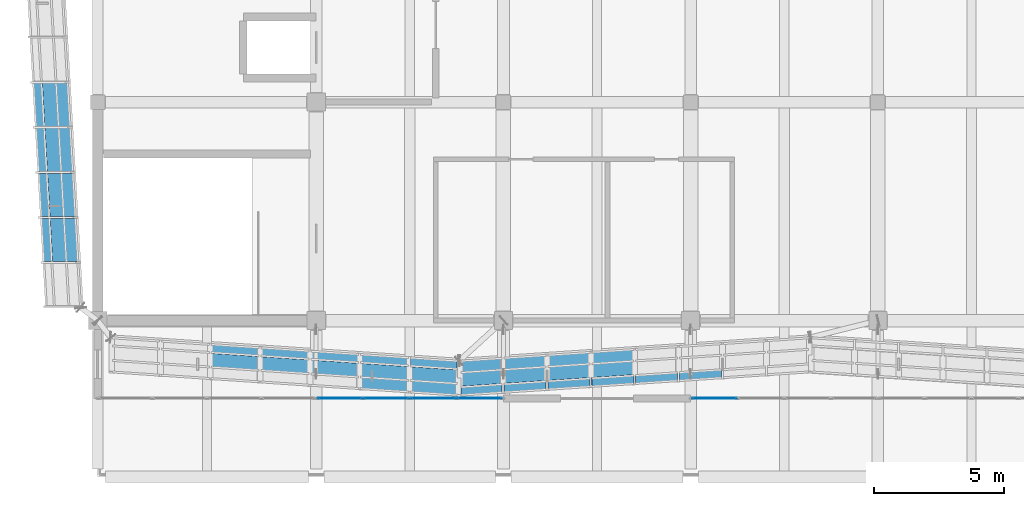
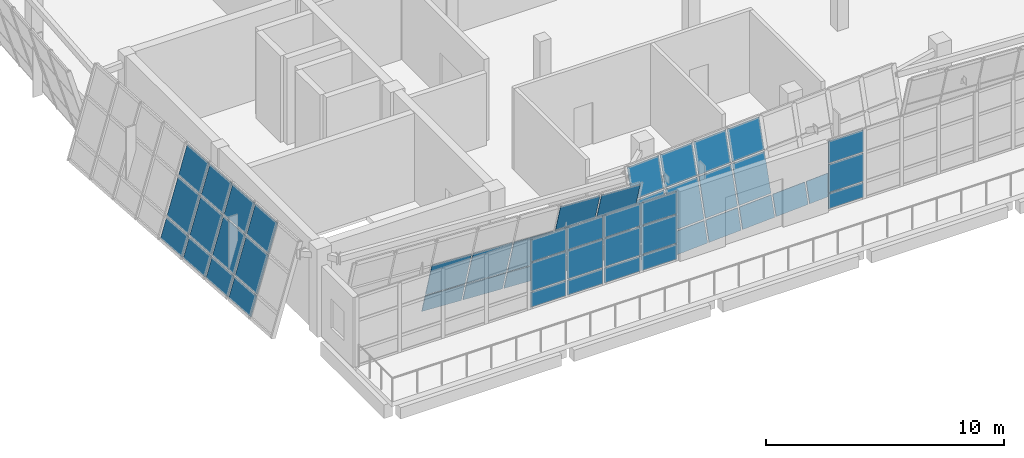
# One storey, part 34 of 67: 53 plates, 5 elements without a shape of their own.
"""IFC4 building model written with IfcOpenShell, lengths in metres."""

from ifc_helpers import new_model, si_unit, direction, frame, origin, place, context, subcontext, project, spatial, polyline, outline, extrude, material, layer, layer_set, type_object, element, aggregate, save


model = new_model("IFC4")

# Units and contexts
model_context = context("Model", 3, precision=1e-05, world=origin(), true_north=direction((0.0, 1.0)))
body_context = subcontext(model_context, "Body", "Model", "MODEL_VIEW")
ifc_project = project(units=[si_unit("LENGTHUNIT", "METRE"), si_unit("AREAUNIT", "SQUARE_METRE"), si_unit("VOLUMEUNIT", "CUBIC_METRE"), si_unit("PLANEANGLEUNIT", "RADIAN"), si_unit("MASSUNIT", "GRAM", prefix="KILO")], contexts=[model_context])

# Site, building, storey
site_placement = place(None, origin())
site = spatial("IfcSite", under=ifc_project, at=site_placement, CompositionType="ELEMENT")
building_placement = place(site_placement, origin())
building = spatial("IfcBuilding", under=site, at=building_placement, Name="Pellamere Symphony Hall", CompositionType="ELEMENT")
storey_placement = place(building_placement, frame((0.0, 0.0, 19.5)))
storey = spatial("IfcBuildingStorey", under=building, at=storey_placement, Name="L04", CompositionType="ELEMENT", Elevation=19.5)

# Curtain wall, plates
ifc_material_1 = material(Name="Thermally Broken Anodised Aluminium 6063-T6 Curtain Wall", Category="aluminium")
curtain_wall_type_1 = type_object("IfcCurtainWallType", Name="Curtain Wall CW-06 (Belvedere Terrace Clerestory Curtain Wall)", PredefinedType="NOTDEFINED", material=ifc_material_1)
curtain_wall_1_placement = place(storey_placement, origin())
curtain_wall_1 = element("IfcCurtainWall", 1, at=curtain_wall_1_placement, inside=storey, type_object=curtain_wall_type_1, Name="Winter-Garden South Curtain Wall (L04 Bay 2)", PredefinedType="NOTDEFINED")
ifc_material_2 = material(Name="Triple Low-E Argon Acoustic Glazing 36mm", Category="glass")
ifc_layer_1 = layer(ifc_material_2, 0.035888671875, Name="Triple Low-E Argon Acoustic Glazing 36mm")
ifc_layer_set_1 = layer_set([ifc_layer_1], Name="Triple Low-E Argon Acoustic Glazing 36mm")
plate_type_1 = type_object("IfcPlateType", Name="Facade Panel GL-01 36mm", PredefinedType="CURTAIN_PANEL", material=ifc_layer_set_1)
plate_1_placement = place(storey_placement, frame((58.864990234375, 27.0, 0.06494140625), z_axis=(0.0, -1.0, 0.0), x_axis=(1.0, 0.0, 0.0)))
plate_1 = element("IfcPlate", 2, at=plate_1_placement, type_object=plate_type_1, Name="CW2-096 crystal glass panel 1.1", PredefinedType="CURTAIN_PANEL", context=body_context, shape_type="SweptSolid", body=[
    extrude(outline(polyline([(0.0, 0.0), (1.702392578125, 0.0), (1.702392578125, 0.76123046875), (0.0, 0.76123046875), (0.0, 0.0)])), origin(), (0.0, 0.0, -1.0), 0.035888671875),
])
plate_2_placement = place(storey_placement, frame((58.864990234375, 27.0, 0.89111328125), z_axis=(0.0, -1.0, 0.0), x_axis=(1.0, 0.0, 0.0)))
plate_2 = element("IfcPlate", 3, at=plate_2_placement, type_object=plate_type_1, Name="CW2-096 crystal glass panel 1.2", PredefinedType="CURTAIN_PANEL", context=body_context, shape_type="SweptSolid", body=[
    extrude(outline(polyline([(0.0, 0.0), (1.702392578125, 0.0), (1.702392578125, 1.4375), (0.0, 1.4375), (0.0, 0.0)])), origin(), (0.0, 0.0, -1.0), 0.035888671875),
])
plate_3_placement = place(storey_placement, frame((58.864990234375, 27.0, 2.3935546875), z_axis=(0.0, -1.0, 0.0), x_axis=(1.0, 0.0, 0.0)))
plate_3 = element("IfcPlate", 4, at=plate_3_placement, type_object=plate_type_1, Name="CW2-096 crystal glass panel 1.3", PredefinedType="CURTAIN_PANEL", context=body_context, shape_type="SweptSolid", body=[
    extrude(outline(polyline([(0.0, 0.0), (1.702392578125, 0.0), (1.702392578125, 1.118896484375), (0.0, 1.118896484375), (0.0, 0.0)])), origin(), (0.0, 0.0, -1.0), 0.035888671875),
])
plate_4_placement = place(storey_placement, frame((60.632568359375, 27.0, 0.06494140625), z_axis=(0.0, -1.0, 0.0), x_axis=(1.0, 0.0, 0.0)))
plate_4 = element("IfcPlate", 5, at=plate_4_placement, type_object=plate_type_1, Name="CW2-096 crystal glass panel 2.1", PredefinedType="CURTAIN_PANEL", context=body_context, shape_type="SweptSolid", body=[
    extrude(outline(polyline([(0.0, 0.0), (1.73486328125, 0.0), (1.73486328125, 0.76123046875), (0.0, 0.76123046875), (0.0, 0.0)])), origin(), (0.0, 0.0, -1.0), 0.035888671875),
])
plate_5_placement = place(storey_placement, frame((60.632568359375, 27.0, 0.89111328125), z_axis=(0.0, -1.0, 0.0), x_axis=(1.0, 0.0, 0.0)))
plate_5 = element("IfcPlate", 6, at=plate_5_placement, type_object=plate_type_1, Name="CW2-096 crystal glass panel 2.2", PredefinedType="CURTAIN_PANEL", context=body_context, shape_type="SweptSolid", body=[
    extrude(outline(polyline([(0.0, 0.0), (1.73486328125, 0.0), (1.73486328125, 1.4375), (0.0, 1.4375), (0.0, 0.0)])), origin(), (0.0, 0.0, -1.0), 0.035888671875),
])
plate_6_placement = place(storey_placement, frame((60.632568359375, 27.0, 2.3935546875), z_axis=(0.0, -1.0, 0.0), x_axis=(1.0, 0.0, 0.0)))
plate_6 = element("IfcPlate", 7, at=plate_6_placement, type_object=plate_type_1, Name="CW2-096 crystal glass panel 2.3", PredefinedType="CURTAIN_PANEL", context=body_context, shape_type="SweptSolid", body=[
    extrude(outline(polyline([(0.0, 0.0), (1.73486328125, 0.0), (1.73486328125, 1.118896484375), (0.0, 1.118896484375), (0.0, 0.0)])), origin(), (0.0, 0.0, -1.0), 0.035888671875),
])
plate_7_placement = place(storey_placement, frame((62.4326171875, 27.0, 0.06494140625), z_axis=(0.0, -1.0, 0.0), x_axis=(1.0, 0.0, 0.0)))
plate_7 = element("IfcPlate", 8, at=plate_7_placement, type_object=plate_type_1, Name="CW2-096 crystal glass panel 3.1", PredefinedType="CURTAIN_PANEL", context=body_context, shape_type="SweptSolid", body=[
    extrude(outline(polyline([(0.0, 0.0), (1.73486328125, 0.0), (1.73486328125, 0.76123046875), (0.0, 0.76123046875), (0.0, 0.0)])), origin(), (0.0, 0.0, -1.0), 0.035888671875),
])
plate_8_placement = place(storey_placement, frame((62.4326171875, 27.0, 0.89111328125), z_axis=(0.0, -1.0, 0.0), x_axis=(1.0, 0.0, 0.0)))
plate_8 = element("IfcPlate", 9, at=plate_8_placement, type_object=plate_type_1, Name="CW2-096 crystal glass panel 3.2", PredefinedType="CURTAIN_PANEL", context=body_context, shape_type="SweptSolid", body=[
    extrude(outline(polyline([(0.0, 0.0), (1.73486328125, 0.0), (1.73486328125, 1.4375), (0.0, 1.4375), (0.0, 0.0)])), origin(), (0.0, 0.0, -1.0), 0.035888671875),
])
plate_9_placement = place(storey_placement, frame((62.4326171875, 27.0, 2.3935546875), z_axis=(0.0, -1.0, 0.0), x_axis=(1.0, 0.0, 0.0)))
plate_9 = element("IfcPlate", 10, at=plate_9_placement, type_object=plate_type_1, Name="CW2-096 crystal glass panel 3.3", PredefinedType="CURTAIN_PANEL", context=body_context, shape_type="SweptSolid", body=[
    extrude(outline(polyline([(0.0, 0.0), (1.73486328125, 0.0), (1.73486328125, 1.118896484375), (0.0, 1.118896484375), (0.0, 0.0)])), origin(), (0.0, 0.0, -1.0), 0.035888671875),
])
plate_10_placement = place(storey_placement, frame((64.232421875, 27.0, 0.06494140625), z_axis=(0.0, -1.0, 0.0), x_axis=(1.0, 0.0, 0.0)))
plate_10 = element("IfcPlate", 11, at=plate_10_placement, type_object=plate_type_1, Name="CW2-096 crystal glass panel 4.1", PredefinedType="CURTAIN_PANEL", context=body_context, shape_type="SweptSolid", body=[
    extrude(outline(polyline([(0.0, 0.0), (1.70263671875, 0.0), (1.70263671875, 0.76123046875), (0.0, 0.76123046875), (0.0, 0.0)])), origin(), (0.0, 0.0, -1.0), 0.035888671875),
])
plate_11_placement = place(storey_placement, frame((64.232421875, 27.0, 0.89111328125), z_axis=(0.0, -1.0, 0.0), x_axis=(1.0, 0.0, 0.0)))
plate_11 = element("IfcPlate", 12, at=plate_11_placement, type_object=plate_type_1, Name="CW2-096 crystal glass panel 4.2", PredefinedType="CURTAIN_PANEL", context=body_context, shape_type="SweptSolid", body=[
    extrude(outline(polyline([(0.0, 0.0), (1.70263671875, 0.0), (1.70263671875, 1.4375), (0.0, 1.4375), (0.0, 0.0)])), origin(), (0.0, 0.0, -1.0), 0.035888671875),
])
plate_12_placement = place(storey_placement, frame((64.232421875, 27.0, 2.3935546875), z_axis=(0.0, -1.0, 0.0), x_axis=(1.0, 0.0, 0.0)))
plate_12 = element("IfcPlate", 13, at=plate_12_placement, type_object=plate_type_1, Name="CW2-096 crystal glass panel 4.3", PredefinedType="CURTAIN_PANEL", context=body_context, shape_type="SweptSolid", body=[
    extrude(outline(polyline([(0.0, 0.0), (1.70263671875, 0.0), (1.70263671875, 1.118896484375), (0.0, 1.118896484375), (0.0, 0.0)])), origin(), (0.0, 0.0, -1.0), 0.035888671875),
])
aggregate(curtain_wall_1, [plate_1, plate_2, plate_3, plate_4, plate_5, plate_6, plate_7, plate_8, plate_9, plate_10, plate_11, plate_12])

curtain_wall_2_placement = place(storey_placement, origin())
curtain_wall_2 = element("IfcCurtainWall", 14, at=curtain_wall_2_placement, inside=storey, type_object=curtain_wall_type_1, Name="Winter-Garden South Curtain Wall (L04 Bay 4)", PredefinedType="NOTDEFINED")
plate_13_placement = place(storey_placement, frame((73.264892578125, 27.0, 0.06494140625), z_axis=(0.0, -1.0, 0.0), x_axis=(1.0, 0.0, 0.0)))
plate_13 = element("IfcPlate", 15, at=plate_13_placement, type_object=plate_type_1, Name="CW2-097 crystal glass panel 1.1", PredefinedType="CURTAIN_PANEL", context=body_context, shape_type="SweptSolid", body=[
    extrude(outline(polyline([(0.0, 0.0), (1.70263671875, 0.0), (1.70263671875, 0.76123046875), (0.0, 0.76123046875), (0.0, 0.0)])), origin(), (0.0, 0.0, -1.0), 0.035888671875),
])
plate_14_placement = place(storey_placement, frame((73.264892578125, 27.0, 0.89111328125), z_axis=(0.0, -1.0, 0.0), x_axis=(1.0, 0.0, 0.0)))
plate_14 = element("IfcPlate", 16, at=plate_14_placement, type_object=plate_type_1, Name="CW2-097 crystal glass panel 1.2", PredefinedType="CURTAIN_PANEL", context=body_context, shape_type="SweptSolid", body=[
    extrude(outline(polyline([(0.0, 0.0), (1.70263671875, 0.0), (1.70263671875, 1.4375), (0.0, 1.4375), (0.0, 0.0)])), origin(), (0.0, 0.0, -1.0), 0.035888671875),
])
plate_15_placement = place(storey_placement, frame((73.264892578125, 27.0, 2.3935546875), z_axis=(0.0, -1.0, 0.0), x_axis=(1.0, 0.0, 0.0)))
plate_15 = element("IfcPlate", 17, at=plate_15_placement, type_object=plate_type_1, Name="CW2-097 crystal glass panel 1.3", PredefinedType="CURTAIN_PANEL", context=body_context, shape_type="SweptSolid", body=[
    extrude(outline(polyline([(0.0, 0.0), (1.70263671875, 0.0), (1.70263671875, 1.118896484375), (0.0, 1.118896484375), (0.0, 0.0)])), origin(), (0.0, 0.0, -1.0), 0.035888671875),
])
aggregate(curtain_wall_2, [plate_13, plate_14, plate_15])

curtain_wall_type_2 = type_object("IfcCurtainWallType", Name="Curtain Wall CW-01 (Tilted Faceted Crystal Low-Iron Curtain Wall)", PredefinedType="NOTDEFINED", material=ifc_material_1)
curtain_wall_3_placement = place(storey_placement, origin())
curtain_wall_3 = element("IfcCurtainWall", 18, at=curtain_wall_3_placement, inside=storey, type_object=curtain_wall_type_2, Name="Crystal Faceted Curtain Wall CW-CR01 (L04)", PredefinedType="NOTDEFINED")
ifc_material_3 = material(Name="Triple Laminated Acoustic Crystal Glazing 42mm", Category="glass")
ifc_layer_2 = layer(ifc_material_3, 0.0419921875, Name="Triple Laminated Acoustic Crystal Glazing 42mm")
ifc_layer_set_2 = layer_set([ifc_layer_2], Name="Triple Laminated Acoustic Crystal Glazing 42mm")
plate_type_2 = type_object("IfcPlateType", Name="Facade Panel GL-02 42mm", PredefinedType="CURTAIN_PANEL", material=ifc_layer_set_2)
plate_16_placement = place(storey_placement, frame((54.765869140625, 29.069091796875, 0.072021484375), z_axis=(0.064251449356, 0.956787887145, 0.283599524449), x_axis=(0.997752815695, -0.067002378864, 0.0)))
plate_16 = element("IfcPlate", 19, at=plate_16_placement, type_object=plate_type_2, Name="CW1-001 crystal glass panel 3.1", PredefinedType="CURTAIN_PANEL", context=body_context, shape_type="SweptSolid", body=[
    extrude(outline(polyline([(0.0, 0.0), (1.8437428393467363, 0.0), (1.863045282476549, -1.0135368028599794), (0.01930244312981295, -1.0135368028599794), (0.0, 0.0)])), origin(), (0.0, 0.0, -1.0), 0.0419921875),
])
plate_17_placement = place(storey_placement, frame((54.765869140625, 28.759765625, 1.115966796875), z_axis=(0.064254608922, 0.956834937205, 0.283440025712), x_axis=(0.997752815695, -0.067002378864, 0.0)))
plate_17 = element("IfcPlate", 20, at=plate_17_placement, type_object=plate_type_2, Name="CW1-001 crystal glass panel 3.2", PredefinedType="CURTAIN_PANEL", context=body_context, shape_type="SweptSolid", body=[
    extrude(outline(polyline([(0.0, 0.0), (1.8437428393467363, -6.938893903907228e-18), (1.879828593197895, -1.895864713775123), (0.036085753851158794, -1.895864713775123), (0.0, 0.0)])), origin(), (0.0, 0.0, -1.0), 0.0419921875),
])
plate_18_placement = place(storey_placement, frame((56.68017578125, 28.9404296875, 0.072021484375), z_axis=(0.06425582732, 0.956853080748, 0.283378493394), x_axis=(0.997752815695, -0.067002378864, 0.0)))
plate_18 = element("IfcPlate", 21, at=plate_18_placement, type_object=plate_type_2, Name="CW1-001 crystal glass panel 4.1", PredefinedType="CURTAIN_PANEL", context=body_context, shape_type="SweptSolid", body=[
    extrude(outline(polyline([(0.0, 0.0), (1.8437428393467363, 0.0), (1.863028924473897, -1.0134677472055296), (0.019286085127160568, -1.0134677472055296), (0.0, 0.0)])), origin(), (0.0, 0.0, -1.0), 0.0419921875),
])
plate_19_placement = place(storey_placement, frame((56.68017578125, 28.631103515625, 1.115966796875), z_axis=(0.064254608922, 0.956834937205, 0.283440025712), x_axis=(0.997752815695, -0.067002378864, 0.0)))
plate_19 = element("IfcPlate", 22, at=plate_19_placement, type_object=plate_type_2, Name="CW1-001 crystal glass panel 4.2", PredefinedType="CURTAIN_PANEL", context=body_context, shape_type="SweptSolid", body=[
    extrude(outline(polyline([(0.0, 0.0), (1.8437428393467363, -6.938893903907228e-18), (1.879828593197895, -1.895864713775123), (0.036085753851158794, -1.895864713775123), (0.0, 0.0)])), origin(), (0.0, 0.0, -1.0), 0.0419921875),
])
plate_20_placement = place(storey_placement, frame((58.594482421875, 28.81201171875, 0.072021484375), z_axis=(0.064316867913, 0.956816583864, 0.28348785749), x_axis=(0.997748031194, -0.06707358591, 1.7958457e-05)))
plate_20 = element("IfcPlate", 23, at=plate_20_placement, type_object=plate_type_2, Name="CW1-001 crystal glass panel 5.1", PredefinedType="CURTAIN_PANEL", context=body_context, shape_type="SweptSolid", body=[
    extrude(outline(polyline([(0.0, 0.0), (1.843759209741212, 0.0), (1.8630832454841484, -1.0134670175718625), (0.019340411130121138, -1.0135360723317859), (0.0, 0.0)])), origin(), (0.0, 0.0, -1.0), 0.0419921875),
])
plate_21_placement = place(storey_placement, frame((58.594482421875, 28.502685546875, 1.115966796875), z_axis=(0.064254608922, 0.956834937205, 0.283440025712), x_axis=(0.997752815695, -0.067002378864, 0.0)))
plate_21 = element("IfcPlate", 24, at=plate_21_placement, type_object=plate_type_2, Name="CW1-001 crystal glass panel 5.2", PredefinedType="CURTAIN_PANEL", context=body_context, shape_type="SweptSolid", body=[
    extrude(outline(polyline([(0.0, 0.0), (1.8437428393467363, -6.938893903907228e-18), (1.879828593197895, -1.895864713775123), (0.036085753851158794, -1.895864713775123), (0.0, 0.0)])), origin(), (0.0, 0.0, -1.0), 0.0419921875),
])
plate_22_placement = place(storey_placement, frame((60.5087890625, 28.683349609375, 0.072021484375), z_axis=(0.064251449356, 0.956787887145, 0.283599524449), x_axis=(0.997752815695, -0.067002378864, 0.0)))
plate_22 = element("IfcPlate", 25, at=plate_22_placement, type_object=plate_type_2, Name="CW1-001 crystal glass panel 6.1", PredefinedType="CURTAIN_PANEL", context=body_context, shape_type="SweptSolid", body=[
    extrude(outline(polyline([(0.0, 0.0), (1.8437428393467363, 0.0), (1.863045282476549, -1.0135368028599794), (0.01930244312981295, -1.0135368028599794), (0.0, 0.0)])), origin(), (0.0, 0.0, -1.0), 0.0419921875),
])
plate_23_placement = place(storey_placement, frame((60.5087890625, 28.3740234375, 1.115966796875), z_axis=(0.064254608922, 0.956834937205, 0.283440025712), x_axis=(0.997752815695, -0.067002378864, 0.0)))
plate_23 = element("IfcPlate", 26, at=plate_23_placement, type_object=plate_type_2, Name="CW1-001 crystal glass panel 6.2", PredefinedType="CURTAIN_PANEL", context=body_context, shape_type="SweptSolid", body=[
    extrude(outline(polyline([(0.0, 0.0), (1.8437428393467363, -6.938893903907228e-18), (1.879828593197895, -1.895864713775123), (0.036085753851158794, -1.895864713775123), (0.0, 0.0)])), origin(), (0.0, 0.0, -1.0), 0.0419921875),
])
plate_24_placement = place(storey_placement, frame((60.5087890625, 27.814208984375, 3.005859375), z_axis=(0.064253173821, 0.95681356668, 0.283512483449), x_axis=(0.997752815695, -0.067002378864, 0.0)))
plate_24 = element("IfcPlate", 27, at=plate_24_placement, type_object=plate_type_2, Name="CW1-001 crystal glass panel 6.3", PredefinedType="CURTAIN_PANEL", context=body_context, shape_type="SweptSolid", body=[
    extrude(outline(polyline([(0.0, 0.0), (1.8437428393467363, -6.938893903907228e-18), (1.8719767519247508, -1.4829674517842317), (0.02823391257801454, -1.4829674517842317), (0.0, 0.0)])), origin(), (0.0, 0.0, -1.0), 0.0419921875),
])
plate_25_placement = place(storey_placement, frame((62.423095703125, 28.5546875, 0.072021484375), z_axis=(0.064233190326, 0.956821751349, 0.283489388525), x_axis=(0.997754609703, -0.06697565588, -1.8333619e-05)))
plate_25 = element("IfcPlate", 28, at=plate_25_placement, type_object=plate_type_2, Name="CW1-001 crystal glass panel 7.1", PredefinedType="CURTAIN_PANEL", context=body_context, shape_type="SweptSolid", body=[
    extrude(outline(polyline([(0.0, 0.0), (1.8060497372747724, 0.0), (1.8253266630077092, -1.0135372817783097), (0.019260574254450512, -1.0134682256206367), (0.0, 0.0)])), origin(), (0.0, 0.0, -1.0), 0.0419921875),
])
plate_26_placement = place(storey_placement, frame((62.423095703125, 28.24560546875, 1.115966796875), z_axis=(0.064298709927, 0.95683221365, 0.283439218922), x_axis=(0.997749727577, -0.067048349123, 0.0)))
plate_26 = element("IfcPlate", 29, at=plate_26_placement, type_object=plate_type_2, Name="CW1-001 crystal glass panel 7.2", PredefinedType="CURTAIN_PANEL", context=body_context, shape_type="SweptSolid", body=[
    extrude(outline(polyline([(0.0, 0.0), (1.806066093850216, 0.0), (1.8421766060977078, -1.8958642423638508), (0.03611051224749175, -1.8958642423638508), (0.0, 0.0)])), origin(), (0.0, 0.0, -1.0), 0.0419921875),
])
plate_27_placement = place(storey_placement, frame((62.423095703125, 27.685546875, 3.005859375), z_axis=(0.064234221092, 0.956837105718, 0.283437326338), x_axis=(0.99775460957, -0.066975657866, -1.8330546e-05)))
plate_27 = element("IfcPlate", 30, at=plate_27_placement, type_object=plate_type_2, Name="CW1-001 crystal glass panel 7.3", PredefinedType="CURTAIN_PANEL", context=body_context, shape_type="SweptSolid", body=[
    extrude(outline(polyline([(0.0, 0.0), (1.8060497372746511, 6.938893903907228e-18), (1.8342463217586222, -1.4829681573964257), (0.028180233004999937, -1.4828991139207601), (0.0, 0.0)])), origin(), (0.0, 0.0, -1.0), 0.0419921875),
])
aggregate(curtain_wall_3, [plate_16, plate_17, plate_18, plate_19, plate_20, plate_21, plate_22, plate_23, plate_24, plate_25, plate_26, plate_27])

curtain_wall_4_placement = place(storey_placement, origin())
curtain_wall_4 = element("IfcCurtainWall", 31, at=curtain_wall_4_placement, inside=storey, type_object=curtain_wall_type_2, Name="Crystal Faceted Curtain Wall CW-CR02 (L04)", PredefinedType="NOTDEFINED")
plate_28_placement = place(storey_placement, frame((64.374755859375, 27.143310546875, 0.072021484375), z_axis=(0.063834236837, -0.956846295725, 0.28349666059), x_axis=(0.997782490464, 0.066559006026, -2.0971833e-05)))
plate_28 = element("IfcPlate", 32, at=plate_28_placement, type_object=plate_type_2, Name="CW1-002 crystal glass panel 1.1", PredefinedType="CURTAIN_PANEL", context=body_context, shape_type="SweptSolid", body=[
    extrude(outline(polyline([(0.0, 0.0), (1.57893329676682, 3.469446951953614e-18), (1.598087627392308, 1.0135396060529), (0.019138080868157308, 1.0134705461547646), (0.0, 0.0)])), origin(), (0.0, 0.0, -1.0), 0.0419921875),
])
plate_29_placement = place(storey_placement, frame((64.374755859375, 27.45263671875, 1.115966796875), z_axis=(0.063761361615, -0.956865270933, 0.283449011371), x_axis=(0.99778720991, 0.066488222573, 0.0)))
plate_29 = element("IfcPlate", 33, at=plate_29_placement, type_object=plate_type_2, Name="CW1-002 crystal glass panel 1.2", PredefinedType="CURTAIN_PANEL", context=body_context, shape_type="SweptSolid", body=[
    extrude(outline(polyline([(0.0, 0.0), (1.578933301087088, 0.0), (1.6147421436152132, 1.89586996425531), (0.03580884252812496, 1.89586996425531), (0.0, 0.0)])), origin(), (0.0, 0.0, -1.0), 0.0419921875),
])
plate_30_placement = place(storey_placement, frame((64.374755859375, 28.012451171875, 3.005859375), z_axis=(0.063835261254, -0.956861651276, 0.283444597301), x_axis=(0.997782490313, 0.066559008298, -2.0968319e-05)))
plate_30 = element("IfcPlate", 34, at=plate_30_placement, type_object=plate_type_2, Name="CW1-002 crystal glass panel 1.3", PredefinedType="CURTAIN_PANEL", context=body_context, shape_type="SweptSolid", body=[
    extrude(outline(polyline([(0.0, 0.0), (1.5789332967666814, 0.0), (1.6069505594295541, 1.482971556106351), (0.02800101290498728, 1.4829025088908534), (0.0, 0.0)])), origin(), (0.0, 0.0, -1.0), 0.0419921875),
])
plate_31_placement = place(storey_placement, frame((66.02490234375, 27.25341796875, 0.072021484375), z_axis=(0.063734402399, -0.956885141479, 0.283387988396), x_axis=(0.997789166031, 0.066458860589, 0.0)))
plate_31 = element("IfcPlate", 35, at=plate_31_placement, type_object=plate_type_2, Name="CW1-002 crystal glass panel 2.1", PredefinedType="CURTAIN_PANEL", context=body_context, shape_type="SweptSolid", body=[
    extrude(outline(polyline([(0.0, 0.0), (1.616366486684859, 0.0), (1.635496124535183, 1.013470712285806), (0.01912963785032384, 1.013470712285806), (0.0, 0.0)])), origin(), (0.0, 0.0, -1.0), 0.0419921875),
])
plate_32_placement = place(storey_placement, frame((66.02490234375, 27.5625, 1.115966796875), z_axis=(0.063877451614, -0.956858152749, 0.283446902775), x_axis=(0.997779138857, 0.066609234065, 0.0)))
plate_32 = element("IfcPlate", 36, at=plate_32_placement, type_object=plate_type_2, Name="CW1-002 crystal glass panel 2.2", PredefinedType="CURTAIN_PANEL", context=body_context, shape_type="SweptSolid", body=[
    extrude(outline(polyline([(0.0, 0.0), (1.6163827303488496, 0.0), (1.6522567465471327, 1.895868732146411), (0.03587401619828309, 1.895868732146411), (0.0, 0.0)])), origin(), (0.0, 0.0, -1.0), 0.0419921875),
])
plate_33_placement = place(storey_placement, frame((66.02490234375, 28.122314453125, 3.005859375), z_axis=(0.063805383649, -0.956863483281, 0.283445139983), x_axis=(0.997783752229, 0.066540088437, 2.0482589e-05)))
plate_33 = element("IfcPlate", 37, at=plate_33_placement, type_object=plate_type_2, Name="CW1-002 crystal glass panel 2.3", PredefinedType="CURTAIN_PANEL", context=body_context, shape_type="SweptSolid", body=[
    extrude(outline(polyline([(0.0, 0.0), (1.6163827261285246, 3.469446951953614e-18), (1.6444347192036313, 1.4829015453774923), (0.028068238213885266, 1.4829705921666583), (0.0, 0.0)])), origin(), (0.0, 0.0, -1.0), 0.0419921875),
])
plate_34_placement = place(storey_placement, frame((67.71240234375, 27.36572265625, 0.072021484375), z_axis=(0.063804359707, -0.956848127642, 0.283497203354), x_axis=(0.99778375208, 0.066540090657, 2.0486023e-05)))
plate_34 = element("IfcPlate", 38, at=plate_34_placement, type_object=plate_type_2, Name="CW1-002 crystal glass panel 3.1", PredefinedType="CURTAIN_PANEL", context=body_context, shape_type="SweptSolid", body=[
    extrude(outline(polyline([(0.0, 0.0), (1.6163827261286603, 3.469446951953614e-18), (1.635555656240936, 1.0134698874724453), (0.01918917525159601, 1.0135389469441665), (0.0, 0.0)])), origin(), (0.0, 0.0, -1.0), 0.0419921875),
])
plate_35_placement = place(storey_placement, frame((67.71240234375, 27.675048828125, 1.115966796875), z_axis=(0.063733193807, -0.956866996113, 0.283449522415), x_axis=(0.997789166031, 0.066458860589, 0.0)))
plate_35 = element("IfcPlate", 39, at=plate_35_placement, type_object=plate_type_2, Name="CW1-002 crystal glass panel 3.2", PredefinedType="CURTAIN_PANEL", context=body_context, shape_type="SweptSolid", body=[
    extrude(outline(polyline([(0.0, 0.0), (1.616366486684859, 0.0), (1.6521595156058213, 1.8958702628738333), (0.035793028920962165, 1.8958702628738333), (0.0, 0.0)])), origin(), (0.0, 0.0, -1.0), 0.0419921875),
])
plate_36_placement = place(storey_placement, frame((67.71240234375, 28.23486328125, 3.005859375), z_axis=(0.063805383649, -0.956863483281, 0.283445139983), x_axis=(0.997783752229, 0.066540088437, 2.0482589e-05)))
plate_36 = element("IfcPlate", 40, at=plate_36_placement, type_object=plate_type_2, Name="CW1-002 crystal glass panel 3.3", PredefinedType="CURTAIN_PANEL", context=body_context, shape_type="SweptSolid", body=[
    extrude(outline(polyline([(0.0, 0.0), (1.6163827261285246, 3.469446951953614e-18), (1.6444347192036313, 1.4829015453774923), (0.028068238213885266, 1.4829705921666583), (0.0, 0.0)])), origin(), (0.0, 0.0, -1.0), 0.0419921875),
])
plate_37_placement = place(storey_placement, frame((69.39990234375, 27.478271484375, 0.072021484375), z_axis=(0.06373005967, -0.956819941323, 0.283609025562), x_axis=(0.997789166031, 0.066458860589, 0.0)))
plate_37 = element("IfcPlate", 41, at=plate_37_placement, type_object=plate_type_2, Name="CW1-002 crystal glass panel 4.1", PredefinedType="CURTAIN_PANEL", context=body_context, shape_type="SweptSolid", body=[
    extrude(outline(polyline([(0.0, 0.0), (1.616366486684859, 3.469446951953614e-18), (1.635512349842944, 1.0135397727698408), (0.01914586315808493, 1.0135397727698408), (0.0, 0.0)])), origin(), (0.0, 0.0, -1.0), 0.0419921875),
])
plate_38_placement = place(storey_placement, frame((69.39990234375, 27.78759765625, 1.115966796875), z_axis=(0.063733193807, -0.956866996113, 0.283449522415), x_axis=(0.997789166031, 0.066458860589, 0.0)))
plate_38 = element("IfcPlate", 42, at=plate_38_placement, type_object=plate_type_2, Name="CW1-002 crystal glass panel 4.2", PredefinedType="CURTAIN_PANEL", context=body_context, shape_type="SweptSolid", body=[
    extrude(outline(polyline([(0.0, 0.0), (1.616366486684859, 0.0), (1.6521595156058213, 1.8958702628738333), (0.035793028920962165, 1.8958702628738333), (0.0, 0.0)])), origin(), (0.0, 0.0, -1.0), 0.0419921875),
])
plate_39_placement = place(storey_placement, frame((69.39990234375, 28.347412109375, 3.005859375), z_axis=(0.063731770256, -0.956845623439, 0.283521982156), x_axis=(0.997789166031, 0.066458860589, 0.0)))
plate_39 = element("IfcPlate", 43, at=plate_39_placement, type_object=plate_type_2, Name="CW1-002 crystal glass panel 4.3", PredefinedType="CURTAIN_PANEL", context=body_context, shape_type="SweptSolid", body=[
    extrude(outline(polyline([(0.0, 0.0), (1.616366486684859, 3.469446951953614e-18), (1.6443713678804985, 1.4829717945733487), (0.028004881195639483, 1.4829717945733487), (0.0, 0.0)])), origin(), (0.0, 0.0, -1.0), 0.0419921875),
])
plate_40_placement = place(storey_placement, frame((71.08740234375, 27.5908203125, 0.072021484375), z_axis=(0.063804359707, -0.956848127642, 0.283497203354), x_axis=(0.997784557971, 0.06652800504, -2.0486228e-05)))
plate_40 = element("IfcPlate", 44, at=plate_40_placement, type_object=plate_type_2, Name="CW1-002 crystal glass panel 5.1", PredefinedType="CURTAIN_PANEL", context=body_context, shape_type="SweptSolid", body=[
    extrude(outline(polyline([(0.0, 0.0), (1.6163664824646273, 3.469446951953614e-18), (1.6355123541131644, 1.013539765879141), (0.019129629459806567, 1.0134707057134071), (0.0, 0.0)])), origin(), (0.0, 0.0, -1.0), 0.0419921875),
])
plate_41_placement = place(storey_placement, frame((72.77490234375, 27.703369140625, 0.072021484375), z_axis=(0.063804359707, -0.956848127642, 0.283497203354), x_axis=(0.997784557971, 0.06652800504, -2.0486228e-05)))
plate_41 = element("IfcPlate", 45, at=plate_41_placement, type_object=plate_type_2, Name="CW1-002 crystal glass panel 6.1", PredefinedType="CURTAIN_PANEL", context=body_context, shape_type="SweptSolid", body=[
    extrude(outline(polyline([(0.0, 0.0), (1.6163664824646273, 3.469446951953614e-18), (1.6355123541131644, 1.013539765879141), (0.019129629459806567, 1.0134707057134071), (0.0, 0.0)])), origin(), (0.0, 0.0, -1.0), 0.0419921875),
])
aggregate(curtain_wall_4, [plate_28, plate_29, plate_30, plate_31, plate_32, plate_33, plate_34, plate_35, plate_36, plate_37, plate_38, plate_39, plate_40, plate_41])

curtain_wall_5_placement = place(storey_placement, origin())
curtain_wall_5 = element("IfcCurtainWall", 46, at=curtain_wall_5_placement, inside=storey, type_object=curtain_wall_type_2, Name="Crystal Faceted Curtain Wall CW-CR18 (L04)", PredefinedType="NOTDEFINED")
plate_42_placement = place(storey_placement, frame((47.9404296875, 39.129150390625, 0.072021484375), z_axis=(-0.957304871124, -0.05524267768, 0.283752762604), x_axis=(0.057610619545, -0.998339129012, 0.0)))
plate_42 = element("IfcPlate", 47, at=plate_42_placement, type_object=plate_type_2, Name="CW1-056 crystal glass panel 5.1", PredefinedType="CURTAIN_PANEL", context=body_context, shape_type="SweptSolid", body=[
    extrude(outline(polyline([(0.0, 0.0), (1.6612063149993754, 0.0), (1.677803124341095, 1.0135847182066644), (0.01659680934171927, 1.0135847182066644), (0.0, 0.0)])), origin(), (0.0, 0.0, -1.0), 0.0419921875),
])
plate_43_placement = place(storey_placement, frame((48.249755859375, 39.129150390625, 1.115966796875), z_axis=(-0.957351997497, -0.055245397176, 0.283593192759), x_axis=(0.057610619545, -0.998339129012, 0.0)))
plate_43 = element("IfcPlate", 48, at=plate_43_placement, type_object=plate_type_2, Name="CW1-056 crystal glass panel 5.2", PredefinedType="CURTAIN_PANEL", context=body_context, shape_type="SweptSolid", body=[
    extrude(outline(polyline([(0.0, 0.0), (1.6612063149993754, -3.469446951953614e-18), (1.6922339094127932, 1.8959542407330272), (0.031027594413417556, 1.8959542407330272), (0.0, 0.0)])), origin(), (0.0, 0.0, -1.0), 0.0419921875),
])
plate_44_placement = place(storey_placement, frame((48.8095703125, 39.129150390625, 3.005859375), z_axis=(-0.957330592308, -0.055244161959, 0.283665682802), x_axis=(0.057610619545, -0.998339129012, 0.0)))
plate_44 = element("IfcPlate", 49, at=plate_44_placement, type_object=plate_type_2, Name="CW1-056 crystal glass panel 5.3", PredefinedType="CURTAIN_PANEL", context=body_context, shape_type="SweptSolid", body=[
    extrude(outline(polyline([(0.0, 0.0), (1.6612063149993754, 0.0), (1.6854826649348056, 1.4830375166207674), (0.024276349935430055, 1.4830375166207674), (0.0, 0.0)])), origin(), (0.0, 0.0, -1.0), 0.0419921875),
])
plate_45_placement = place(storey_placement, frame((48.04052734375, 37.39599609375, 0.072021484375), z_axis=(-0.95737017047, -0.055246445874, 0.283531633003), x_axis=(0.057610619545, -0.998339129012, 0.0)))
plate_45 = element("IfcPlate", 50, at=plate_45_placement, type_object=plate_type_2, Name="CW1-056 crystal glass panel 6.1", PredefinedType="CURTAIN_PANEL", context=body_context, shape_type="SweptSolid", body=[
    extrude(outline(polyline([(0.0, 0.0), (1.6612063149993754, -3.469446951953614e-18), (1.6777890592484324, 1.0135155846352601), (0.0165827442490568, 1.0135155846352604), (0.0, 0.0)])), origin(), (0.0, 0.0, -1.0), 0.0419921875),
])
plate_46_placement = place(storey_placement, frame((48.349609375, 37.39599609375, 1.115966796875), z_axis=(-0.957351997497, -0.055245397176, 0.283593192759), x_axis=(0.057610619545, -0.998339129012, 0.0)))
plate_46 = element("IfcPlate", 51, at=plate_46_placement, type_object=plate_type_2, Name="CW1-056 crystal glass panel 6.2", PredefinedType="CURTAIN_PANEL", context=body_context, shape_type="SweptSolid", body=[
    extrude(outline(polyline([(0.0, 0.0), (1.6612063149993754, -3.469446951953614e-18), (1.6922339094127932, 1.8959542407330272), (0.031027594413417556, 1.8959542407330272), (0.0, 0.0)])), origin(), (0.0, 0.0, -1.0), 0.0419921875),
])
plate_47_placement = place(storey_placement, frame((48.90966796875, 37.39599609375, 3.005859375), z_axis=(-0.957375213306, -0.055246736879, 0.283514548147), x_axis=(0.057610619545, -0.998339129012, 0.0)))
plate_47 = element("IfcPlate", 52, at=plate_47_placement, type_object=plate_type_2, Name="CW1-056 crystal glass panel 6.3", PredefinedType="CURTAIN_PANEL", context=body_context, shape_type="SweptSolid", body=[
    extrude(outline(polyline([(0.0, 0.0), (1.6612063149993754, -6.938893903907228e-18), (1.685468599842143, 1.482968395744147), (0.02426228484276758, 1.482968395744147), (0.0, 0.0)])), origin(), (0.0, 0.0, -1.0), 0.0419921875),
])
plate_48_placement = place(storey_placement, frame((48.140380859375, 35.66259765625, 0.072021484375), z_axis=(-0.957304871124, -0.05524267768, 0.283752762604), x_axis=(0.057610619545, -0.998339129012, 0.0)))
plate_48 = element("IfcPlate", 53, at=plate_48_placement, type_object=plate_type_2, Name="CW1-056 crystal glass panel 7.1", PredefinedType="CURTAIN_PANEL", context=body_context, shape_type="SweptSolid", body=[
    extrude(outline(polyline([(0.0, 0.0), (1.6612063149993754, 0.0), (1.677803124341095, 1.0135847182066644), (0.01659680934171927, 1.0135847182066644), (0.0, 0.0)])), origin(), (0.0, 0.0, -1.0), 0.0419921875),
])
plate_49_placement = place(storey_placement, frame((48.44970703125, 35.66259765625, 1.115966796875), z_axis=(-0.957351997497, -0.055245397176, 0.283593192759), x_axis=(0.057610619545, -0.998339129012, 0.0)))
plate_49 = element("IfcPlate", 54, at=plate_49_placement, type_object=plate_type_2, Name="CW1-056 crystal glass panel 7.2", PredefinedType="CURTAIN_PANEL", context=body_context, shape_type="SweptSolid", body=[
    extrude(outline(polyline([(0.0, 0.0), (1.6612063149993754, -3.469446951953614e-18), (1.6922339094127932, 1.8959542407330272), (0.031027594413417556, 1.8959542407330272), (0.0, 0.0)])), origin(), (0.0, 0.0, -1.0), 0.0419921875),
])
plate_50_placement = place(storey_placement, frame((49.009521484375, 35.66259765625, 3.005859375), z_axis=(-0.957330592308, -0.055244161959, 0.283665682802), x_axis=(0.057610619545, -0.998339129012, 0.0)))
plate_50 = element("IfcPlate", 55, at=plate_50_placement, type_object=plate_type_2, Name="CW1-056 crystal glass panel 7.3", PredefinedType="CURTAIN_PANEL", context=body_context, shape_type="SweptSolid", body=[
    extrude(outline(polyline([(0.0, 0.0), (1.6612063149993754, 0.0), (1.6854826649348056, 1.4830375166207674), (0.024276349935430055, 1.4830375166207674), (0.0, 0.0)])), origin(), (0.0, 0.0, -1.0), 0.0419921875),
])
plate_51_placement = place(storey_placement, frame((48.240478515625, 33.92919921875, 0.072021484375), z_axis=(-0.95737017047, -0.055246445874, 0.283531633003), x_axis=(0.057610619545, -0.998339129012, 0.0)))
plate_51 = element("IfcPlate", 56, at=plate_51_placement, type_object=plate_type_2, Name="CW1-056 crystal glass panel 8.1", PredefinedType="CURTAIN_PANEL", context=body_context, shape_type="SweptSolid", body=[
    extrude(outline(polyline([(0.0, 0.0), (1.6612063149993754, -3.469446951953614e-18), (1.6777890592484324, 1.0135155846352601), (0.0165827442490568, 1.0135155846352604), (0.0, 0.0)])), origin(), (0.0, 0.0, -1.0), 0.0419921875),
])
plate_52_placement = place(storey_placement, frame((48.5498046875, 33.92919921875, 1.115966796875), z_axis=(-0.957351997497, -0.055245397176, 0.283593192759), x_axis=(0.057610619545, -0.998339129012, 0.0)))
plate_52 = element("IfcPlate", 57, at=plate_52_placement, type_object=plate_type_2, Name="CW1-056 crystal glass panel 8.2", PredefinedType="CURTAIN_PANEL", context=body_context, shape_type="SweptSolid", body=[
    extrude(outline(polyline([(0.0, 0.0), (1.6612063149993754, -3.469446951953614e-18), (1.6922339094127932, 1.8959542407330272), (0.031027594413417556, 1.8959542407330272), (0.0, 0.0)])), origin(), (0.0, 0.0, -1.0), 0.0419921875),
])
plate_53_placement = place(storey_placement, frame((49.109619140625, 33.92919921875, 3.005859375), z_axis=(-0.957375213306, -0.055246736879, 0.283514548147), x_axis=(0.057610619545, -0.998339129012, 0.0)))
plate_53 = element("IfcPlate", 58, at=plate_53_placement, type_object=plate_type_2, Name="CW1-056 crystal glass panel 8.3", PredefinedType="CURTAIN_PANEL", context=body_context, shape_type="SweptSolid", body=[
    extrude(outline(polyline([(0.0, 0.0), (1.6612063149993754, -6.938893903907228e-18), (1.685468599842143, 1.482968395744147), (0.02426228484276758, 1.482968395744147), (0.0, 0.0)])), origin(), (0.0, 0.0, -1.0), 0.0419921875),
])
aggregate(curtain_wall_5, [plate_42, plate_43, plate_44, plate_45, plate_46, plate_47, plate_48, plate_49, plate_50, plate_51, plate_52, plate_53])

save(model, "model.ifc")
